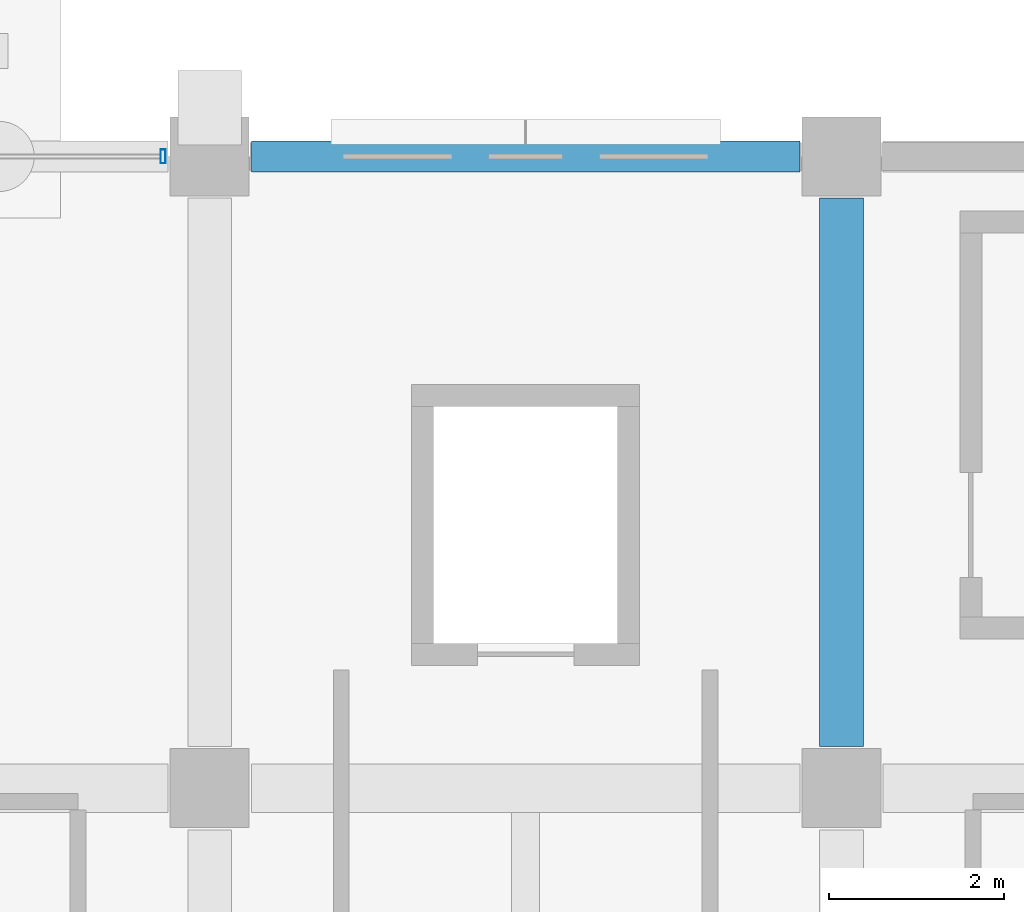
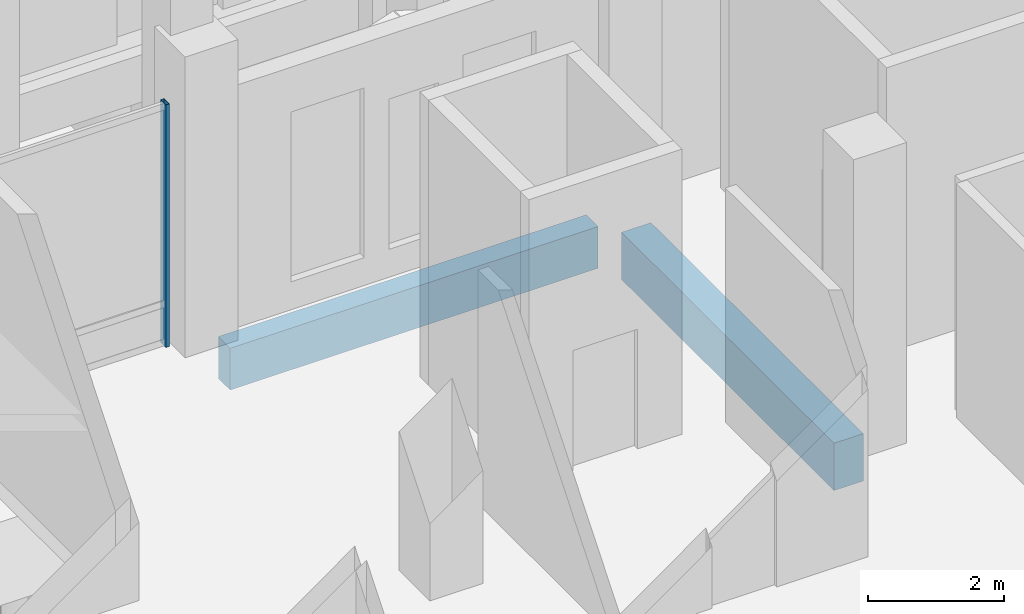
# One storey, part 93 of 192: 2 beams, 1 member, 1 element without a shape of its own.
"""IFC4 building model written with IfcOpenShell, lengths in metres."""

from ifc_helpers import new_model, si_unit, direction, frame, origin, origin_2d, place, context, subcontext, project, spatial, rectangle, hollow_rectangle, extrude, material, material_profile, profile_set, type_object, element, aggregate, save


model = new_model("IFC4")

# Units and contexts
model_context = context("Model", 3, precision=1e-05, world=origin(), true_north=direction((0.0, 1.0)))
body_context = subcontext(model_context, "Body", "Model", "MODEL_VIEW")
ifc_project = project(units=[si_unit("LENGTHUNIT", "METRE"), si_unit("AREAUNIT", "SQUARE_METRE"), si_unit("VOLUMEUNIT", "CUBIC_METRE"), si_unit("PLANEANGLEUNIT", "RADIAN"), si_unit("MASSUNIT", "GRAM", prefix="KILO")], contexts=[model_context])

# Site, building, storey
site_placement = place(None, origin())
site = spatial("IfcSite", under=ifc_project, at=site_placement, CompositionType="ELEMENT")
building_placement = place(site_placement, origin())
building = spatial("IfcBuilding", under=site, at=building_placement, Name="Cendralis Lancet Convention Centre", CompositionType="ELEMENT")
storey_placement = place(building_placement, origin())
storey = spatial("IfcBuildingStorey", under=building, at=storey_placement, Name="L00", CompositionType="ELEMENT", Elevation=0.0)

# Curtain wall, member
ifc_material_1 = material(Name="Anodised bronze architectural aluminium", Category="aluminium")
curtain_wall_type = type_object("IfcCurtainWallType", Name="ARC-CW-CL01", PredefinedType="USERDEFINED", material=ifc_material_1)
curtain_wall_placement = place(storey_placement, origin())
curtain_wall = element("IfcCurtainWall", 1, at=curtain_wall_placement, inside=storey, type_object=curtain_wall_type, Name="L00 Curtain Wall CW-CL1 #179", ObjectType="CURTAIN WALL", PredefinedType="USERDEFINED")
ifc_material_profile_1 = material_profile(ifc_material_1, hollow_rectangle(XDim=0.06005859375, YDim=0.159912109375, WallThickness=0.00390625, at=origin_2d()), Name="AL-MULL 60x160x4.0")
ifc_profile_set_1 = profile_set([ifc_material_profile_1], Name="Anodised bronze architectural aluminium")
member_type = type_object("IfcMemberType", Name="ARC-CW-ML01", PredefinedType="MULLION", material=ifc_profile_set_1)
member_placement = place(storey_placement, frame((160.27001953125, 36.0, 0.0), z_axis=(0.0, 0.0, 1.0), x_axis=(1.0, 0.0, 0.0)))
member = element("IfcMember", 2, at=member_placement, type_object=member_type, Name="Mullion CW2-CW-CL1-L00-179-M2", PredefinedType="MULLION", context=body_context, shape_type="SweptSolid", body=[
    extrude(hollow_rectangle(XDim=0.06005859375, YDim=0.159912109375, WallThickness=0.00390625, at=origin_2d()), origin(), (0.0, 0.0, 1.0), 4.35498046875),
])
aggregate(curtain_wall, [member])

# Beams
ifc_material_2 = material(Name="Concrete G35 (C35/45)", Category="concrete")
ifc_material_profile_2 = material_profile(ifc_material_2, rectangle(XDim=0.5, YDim=0.85009765625, at=origin_2d()), Name="RCB 500x850")
ifc_profile_set_2 = profile_set([ifc_material_profile_2], Name="Concrete G35 (C35/45)")
beam_type_1 = type_object("IfcBeamType", Name="STR-BM-BG08", PredefinedType="BEAM", material=ifc_profile_set_2)
beam_1_placement = place(storey_placement, frame((168.0, 29.27490234375, -0.7451171875), z_axis=(0.0, 1.0, 0.0), x_axis=(-1.0, 0.0, 0.0)))
element("IfcBeam", 3, at=beam_1_placement, inside=storey, type_object=beam_type_1, Name="L00 Beam BG08 #0073", PredefinedType="BEAM", context=body_context, shape_type="SweptSolid", body=[
    extrude(rectangle(XDim=0.5, YDim=0.85009765625, at=origin_2d()), origin(), (0.0, 0.0, 1.0), 6.25),
])
ifc_material_3 = material(Name="Concrete G40 (C40/50)", Category="concrete")
ifc_material_profile_3 = material_profile(ifc_material_3, rectangle(XDim=0.35009765625, YDim=0.75, at=origin_2d()), Name="RCB 350x750")
ifc_profile_set_3 = profile_set([ifc_material_profile_3], Name="Concrete G40 (C40/50)")
beam_type_2 = type_object("IfcBeamType", Name="STR-SP-SP01", PredefinedType="SPANDREL", material=ifc_profile_set_3)
beam_2_placement = place(storey_placement, frame((161.27490234375, 36.0, -0.695068359375), z_axis=(1.0, 0.0, 0.0), x_axis=(0.0, 1.0, 0.0)))
element("IfcBeam", 4, at=beam_2_placement, inside=storey, type_object=beam_type_2, Name="L00 Beam SP01 #0045", PredefinedType="SPANDREL", context=body_context, shape_type="SweptSolid", body=[
    extrude(rectangle(XDim=0.35009765625, YDim=0.75, at=origin_2d()), origin(), (0.0, 0.0, 1.0), 6.25),
])

save(model, "model.ifc")
